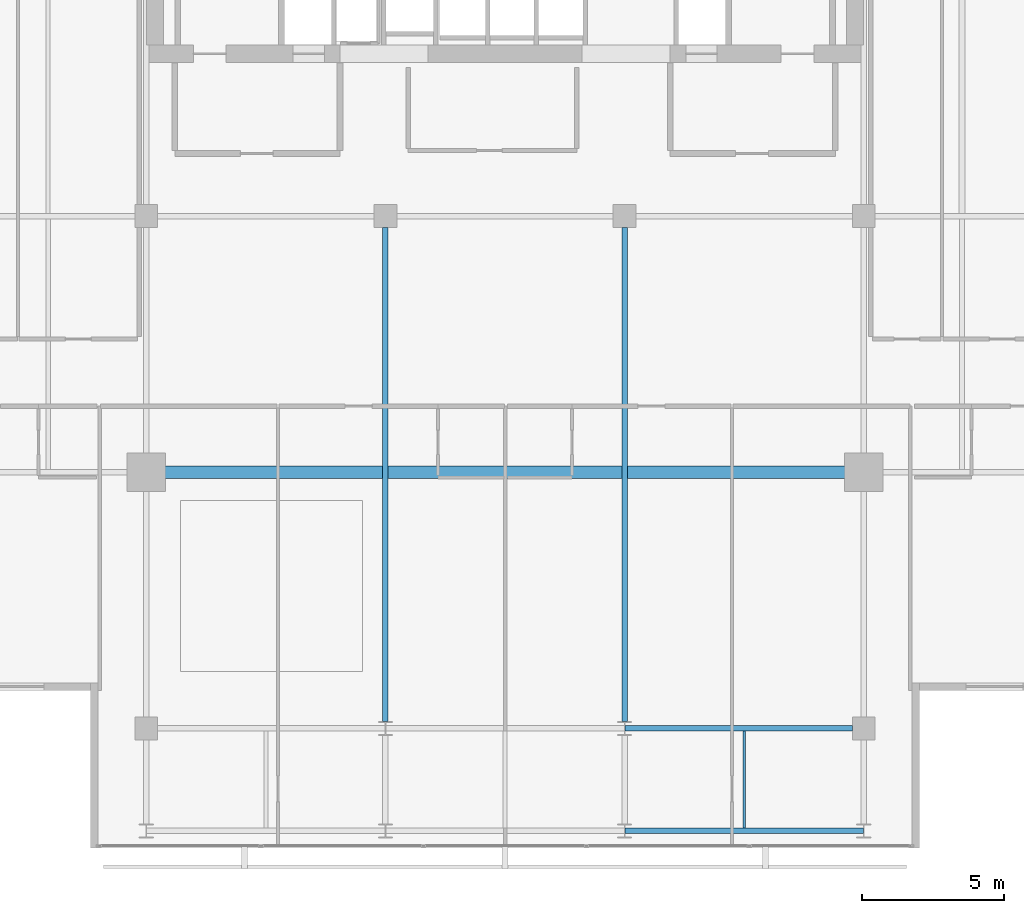
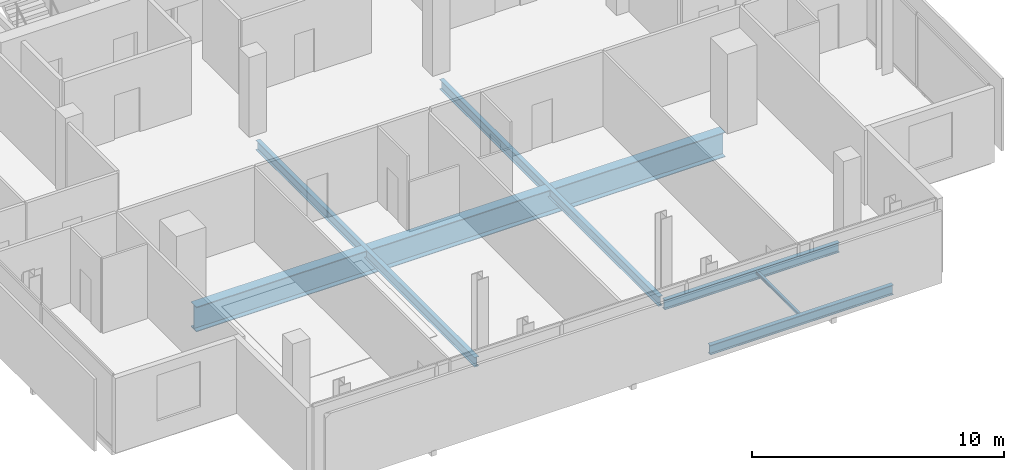
# One storey, part 6 of 23: 6 beams.
"""IFC4 building model written with IfcOpenShell, lengths in metres."""

from ifc_helpers import new_model, si_unit, direction, frame, origin, origin_2d, place, context, subcontext, project, spatial, i_section, extrude, material, material_profile, profile_set, type_object, element, save


model = new_model("IFC4")

# Units and contexts
model_context = context("Model", 3, precision=1e-05, world=origin(), true_north=direction((0.0, 1.0)))
body_context = subcontext(model_context, "Body", "Model", "MODEL_VIEW")
ifc_project = project(units=[si_unit("LENGTHUNIT", "METRE"), si_unit("AREAUNIT", "SQUARE_METRE"), si_unit("VOLUMEUNIT", "CUBIC_METRE"), si_unit("PLANEANGLEUNIT", "RADIAN"), si_unit("MASSUNIT", "GRAM", prefix="KILO")], contexts=[model_context])

# Site, building, storey
site_placement = place(None, origin())
site = spatial("IfcSite", under=ifc_project, at=site_placement, CompositionType="ELEMENT")
building_placement = place(site_placement, origin())
building = spatial("IfcBuilding", under=site, at=building_placement, Name="Maruvema Waterfront Hotel and Observation Tower", CompositionType="ELEMENT")
storey_placement = place(building_placement, frame((0.0, 0.0, 341.25)))
storey = spatial("IfcBuildingStorey", under=building, at=storey_placement, Name="L84", CompositionType="ELEMENT", Elevation=341.25)

# Beams
ifc_material_1 = material(Name="Steel ASTM A572 Grade 50", Category="steel")
ifc_material_profile_1 = material_profile(ifc_material_1, i_section(OverallWidth=0.194091796875, OverallDepth=0.468994140625, WebThickness=0.0126953125, FlangeThickness=0.0205078125, FilletRadius=0.014892578125, at=origin_2d()), Name="W460x106.0")
ifc_profile_set_1 = profile_set([ifc_material_profile_1], Name="Steel ASTM A572 Grade 50")
beam_type_1 = type_object("IfcBeamType", Name="Primary Floor Girder W460x106.0", PredefinedType="BEAM", material=ifc_profile_set_1)
beam_1_placement = place(storey_placement, frame((42.010986328125, 14.39990234375, -0.474609375), z_axis=(1.0, 0.0, 0.0), x_axis=(0.0, 1.0, 0.0)))
element("IfcBeam", 1, at=beam_1_placement, inside=storey, type_object=beam_type_1, Name="L84 Floor Girder EW-03", PredefinedType="BEAM", context=body_context, shape_type="SweptSolid", body=[
    extrude(i_section(OverallWidth=0.194091796875, OverallDepth=0.468994140625, WebThickness=0.0126953125, FlangeThickness=0.0205078125, FilletRadius=0.014892578125, at=origin_2d()), origin(), (0.0, 0.0, 1.0), 8.3779296875),
])
beam_2_placement = place(storey_placement, frame((42.010986328125, 18.0, -0.474609375), z_axis=(1.0, 0.0, 0.0), x_axis=(0.0, 1.0, 0.0)))
element("IfcBeam", 2, at=beam_2_placement, inside=storey, type_object=beam_type_1, Name="L84 Floor Girder EW-06", PredefinedType="BEAM", context=body_context, shape_type="SweptSolid", body=[
    extrude(i_section(OverallWidth=0.194091796875, OverallDepth=0.468994140625, WebThickness=0.0126953125, FlangeThickness=0.0205078125, FilletRadius=0.014892578125, at=origin_2d()), origin(), (0.0, 0.0, 1.0), 7.989013671875),
])
for number, where, z_axis, x_axis, name in (
    (3, (33.60009765625, 18.25, -0.474609375), (0.0, 1.0, 0.0), (-1.0, 0.0, 0.0), "L84 Floor Girder NS-08"),
    (4, (42.0, 18.25, -0.474609375), (0.0, 1.0, 0.0), (-1.0, 0.0, 0.0), "L84 Floor Girder NS-10"),
):
    element("IfcBeam", number, at=place(storey_placement, frame(where, z_axis=z_axis, x_axis=x_axis)), inside=storey, type_object=beam_type_1, Name=name, PredefinedType="BEAM", context=body_context, shape_type="SweptSolid", body=[
        extrude(i_section(OverallWidth=0.194091796875, OverallDepth=0.468994140625, WebThickness=0.0126953125, FlangeThickness=0.0205078125, FilletRadius=0.014892578125, at=origin_2d()), origin(), (0.0, 0.0, 1.0), 17.35009765625),
    ])
ifc_material_2 = material(Name="Steel ASTM A572 Grade 50", Category="steel")
ifc_material_profile_2 = material_profile(ifc_material_2, i_section(OverallWidth=0.10009765625, OverallDepth=0.153076171875, WebThickness=0.005859375, FlangeThickness=0.007080078125, FilletRadius=0.008056640625, at=origin_2d()), Name="W150x18.0")
ifc_profile_set_2 = profile_set([ifc_material_profile_2], Name="Steel ASTM A572 Grade 50")
beam_type_2 = type_object("IfcBeamType", Name="Secondary Floor Joist W150x18.0", PredefinedType="JOIST", material=ifc_profile_set_2)
beam_3_placement = place(storey_placement, frame((46.199951171875, 14.4970703125, -0.31640625), z_axis=(0.0, 1.0, 0.0), x_axis=(-1.0, 0.0, 0.0)))
element("IfcBeam", 5, at=beam_3_placement, inside=storey, type_object=beam_type_2, Name="L84 Secondary Floor Joist JS-05", PredefinedType="JOIST", context=body_context, shape_type="SweptSolid", body=[
    extrude(i_section(OverallWidth=0.10009765625, OverallDepth=0.153076171875, WebThickness=0.005859375, FlangeThickness=0.007080078125, FilletRadius=0.008056640625, at=origin_2d()), origin(), (0.0, 0.0, 1.0), 3.406005859375),
])
ifc_material_3 = material(Name="Steel ABNT NBR 7007 AR 415 (ASTM A572 Grade 50)", Category="steel")
ifc_material_profile_3 = material_profile(ifc_material_3, i_section(OverallWidth=0.449951171875, OverallDepth=1.199951171875, WebThickness=0.01904296875, FlangeThickness=0.031982421875, at=origin_2d()), Name="VS1200x366")
ifc_profile_set_3 = profile_set([ifc_material_profile_3], Name="Steel ABNT NBR 7007 AR 415 (ASTM A572 Grade 50)")
beam_type_3 = type_object("IfcBeamType", Name="Upper Setback Transfer Girder VS1200x366", PredefinedType="USERDEFINED", material=ifc_profile_set_3)
beam_4_placement = place(storey_placement, frame((25.699951171875, 27.0, -0.840087890625), z_axis=(1.0, 0.0, 0.0), x_axis=(0.0, 1.0, 0.0)))
element("IfcBeam", 6, at=beam_4_placement, inside=storey, type_object=beam_type_3, Name="L84 Floor Girder EW-08", ObjectType="TRANSFER GIRDER", PredefinedType="USERDEFINED", context=body_context, shape_type="SweptSolid", body=[
    extrude(i_section(OverallWidth=0.449951171875, OverallDepth=1.199951171875, WebThickness=0.01904296875, FlangeThickness=0.031982421875, at=origin_2d()), origin(), (0.0, 0.0, 1.0), 24.199951171875),
])

save(model, "model.ifc")
